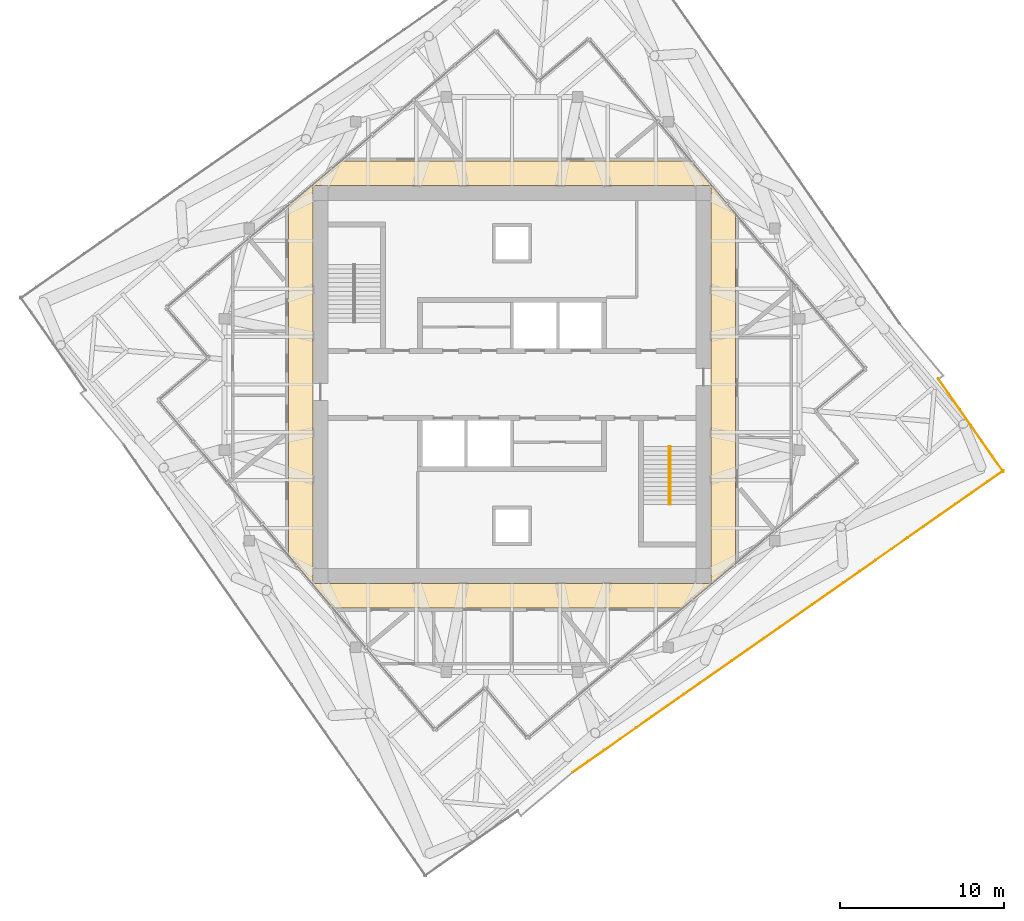
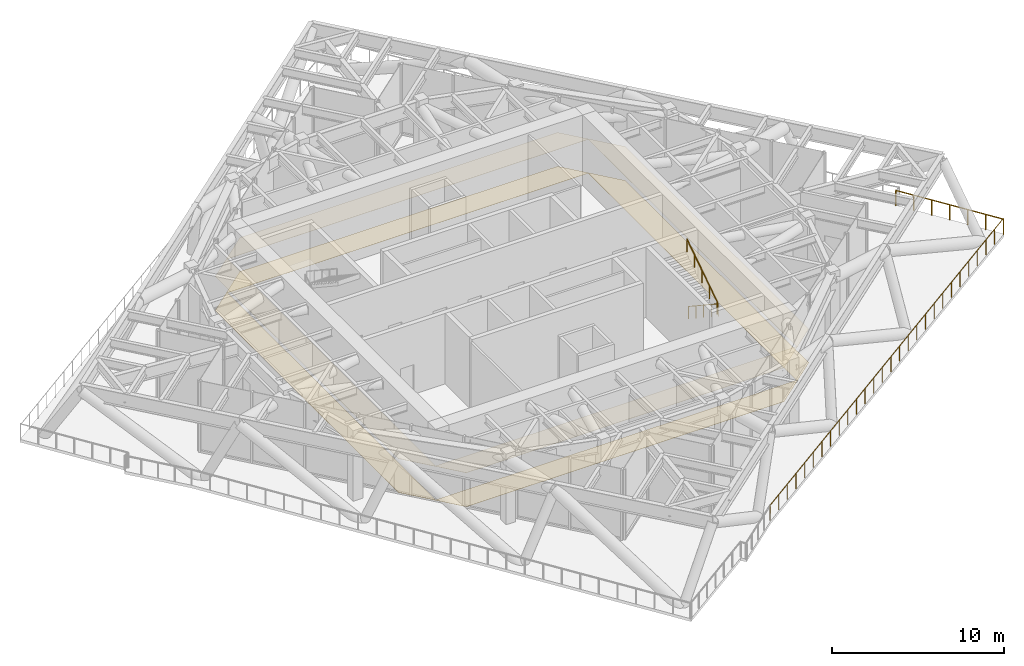
# One storey, part 12 of 15: 4 railings, 2 coverings, 1 element without a shape of its own.
"""IFC4 building model written with IfcOpenShell, lengths in metres."""

from ifc_helpers import new_model, si_unit, direction, frame, origin, origin_2d, place, context, subcontext, project, spatial, polyline, circle, outline, extrude, material, layer, layer_set, type_object, element, aggregate, save


model = new_model("IFC4")

# Units and contexts
model_context = context("Model", 3, precision=1e-05, world=origin(), true_north=direction((0.0, 1.0)))
body_context = subcontext(model_context, "Body", "Model", "MODEL_VIEW")
ifc_project = project(units=[si_unit("LENGTHUNIT", "METRE"), si_unit("AREAUNIT", "SQUARE_METRE"), si_unit("VOLUMEUNIT", "CUBIC_METRE"), si_unit("PLANEANGLEUNIT", "RADIAN"), si_unit("MASSUNIT", "GRAM", prefix="KILO")], contexts=[model_context])

# Site, building, storey
site_placement = place(None, origin())
site = spatial("IfcSite", under=ifc_project, at=site_placement, CompositionType="ELEMENT")
building_placement = place(site_placement, origin())
building = spatial("IfcBuilding", under=site, at=building_placement, Name="Torsade Residences", CompositionType="ELEMENT")
storey_placement = place(building_placement, frame((0.0, 0.0, 267.60009765625)))
storey = spatial("IfcBuildingStorey", under=building, at=storey_placement, Name="L74", CompositionType="ELEMENT", Elevation=267.60009765625)

# Coverings
ifc_material_1 = material(Name="Nylon carpet tile on underlay", Category="textile")
ifc_layer_1 = layer(ifc_material_1, 0.010009765625)
ifc_layer_set_1 = layer_set([ifc_layer_1], Name="Nylon carpet tile on underlay")
covering_type_1 = type_object("IfcCoveringType", Name="CORRIDOR CARPET TILE 10", PredefinedType="FLOORING", material=ifc_layer_set_1)
covering_1_placement = place(storey_placement, origin())
element("IfcCovering", 1, at=covering_1_placement, inside=storey, type_object=covering_type_1, Name="Corridor carpet L74", PredefinedType="FLOORING", context=body_context, shape_type="SweptSolid", body=[
    extrude(outline(polyline([(26.39990234375, 19.60498046875), (29.08935546875, 16.39990234375), (50.39501953125, 16.39990234375), (53.60009765625, 19.08935546875), (53.60009765625, 40.39501953125), (50.91064453125, 43.60009765625), (29.60498046875, 43.60009765625), (26.39990234375, 40.91064453125), (26.39990234375, 19.60498046875)]), holes=[polyline([(27.89990234375, 42.10009765625), (27.89990234375, 17.89990234375), (52.10009765625, 17.89990234375), (52.10009765625, 42.10009765625), (27.89990234375, 42.10009765625)])]), origin(), (0.0, 0.0, 1.0), 0.010009765625),
])
ifc_material_2 = material(Name="Plasterboard on suspended steel grid", Category="steel")
ifc_layer_2 = layer(ifc_material_2, 0.012939453125)
ifc_layer_set_2 = layer_set([ifc_layer_2], Name="Plasterboard on suspended steel grid")
covering_type_2 = type_object("IfcCoveringType", Name="CORRIDOR SUSPENDED CEILING 13", PredefinedType="CEILING", material=ifc_layer_set_2)
covering_2_placement = place(storey_placement, frame((0.0, 0.0, 2.39990234375)))
element("IfcCovering", 2, at=covering_2_placement, inside=storey, type_object=covering_type_2, Name="Corridor ceiling L74", PredefinedType="CEILING", context=body_context, shape_type="SweptSolid", body=[
    extrude(outline(polyline([(26.39990234375, 19.60498046875), (29.08935546875, 16.39990234375), (50.39501953125, 16.39990234375), (53.60009765625, 19.08935546875), (53.60009765625, 40.39501953125), (50.91064453125, 43.60009765625), (29.60498046875, 43.60009765625), (26.39990234375, 40.91064453125), (26.39990234375, 19.60498046875)]), holes=[polyline([(27.89990234375, 42.10009765625), (27.89990234375, 17.89990234375), (52.10009765625, 17.89990234375), (52.10009765625, 42.10009765625), (27.89990234375, 42.10009765625)])]), origin(), (0.0, 0.0, 1.0), 0.012939453125),
])

# Railings
ifc_material_3 = material(Name="Galvanised steel guard rail", Category="steel")
railing_type_1 = type_object("IfcRailingType", Name="ROOF EDGE GUARD 1100", PredefinedType="GUARDRAIL", material=ifc_material_3)
railing_1_placement = place(storey_placement, frame((43.67333984375, 6.386474609375, 0.0)))
element("IfcRailing", 3, at=railing_1_placement, inside=storey, type_object=railing_type_1, Name="Roof edge guard L74 3", PredefinedType="GUARDRAIL", context=body_context, shape_type="SweptSolid", body=[
    extrude(circle(Radius=0.02392578125, at=origin_2d()), frame((0.0, 0.0, 1.076171875), z_axis=(0.819153861324, 0.573573841347, 0.0), x_axis=(-0.573573841347, 0.819153861324, 0.0)), (0.0, 0.0, 1.0), 32.03515625),
    extrude(circle(Radius=0.02099609375, at=origin_2d()), origin(), (0.0, 0.0, 1.0), 1.052001953125),
    extrude(circle(Radius=0.02099609375, at=origin_2d()), frame((0.971923828125, 0.680419921875, 0.0)), (0.0, 0.0, 1.0), 1.052001953125),
    extrude(circle(Radius=0.02099609375, at=origin_2d()), frame((1.94384765625, 1.361083984375, 0.0)), (0.0, 0.0, 1.0), 1.052001953125),
    extrude(circle(Radius=0.02099609375, at=origin_2d()), frame((2.915771484375, 2.04150390625, 0.0)), (0.0, 0.0, 1.0), 1.052001953125),
    extrude(circle(Radius=0.02099609375, at=origin_2d()), frame((3.8876953125, 2.72216796875, 0.0)), (0.0, 0.0, 1.0), 1.052001953125),
    extrude(circle(Radius=0.02099609375, at=origin_2d()), frame((4.859619140625, 3.402587890625, 0.0)), (0.0, 0.0, 1.0), 1.052001953125),
    extrude(circle(Radius=0.02099609375, at=origin_2d()), frame((5.83154296875, 4.083251953125, 0.0)), (0.0, 0.0, 1.0), 1.052001953125),
    extrude(circle(Radius=0.02099609375, at=origin_2d()), frame((6.803466796875, 4.763671875, 0.0)), (0.0, 0.0, 1.0), 1.052001953125),
    extrude(circle(Radius=0.02099609375, at=origin_2d()), frame((7.775390625, 5.4443359375, 0.0)), (0.0, 0.0, 1.0), 1.052001953125),
    extrude(circle(Radius=0.02099609375, at=origin_2d()), frame((8.747314453125, 6.124755859375, 0.0)), (0.0, 0.0, 1.0), 1.052001953125),
    extrude(circle(Radius=0.02099609375, at=origin_2d()), frame((9.71923828125, 6.805419921875, 0.0)), (0.0, 0.0, 1.0), 1.052001953125),
    extrude(circle(Radius=0.02099609375, at=origin_2d()), frame((10.691162109375, 7.48583984375, 0.0)), (0.0, 0.0, 1.0), 1.052001953125),
    extrude(circle(Radius=0.02099609375, at=origin_2d()), frame((11.6630859375, 8.16650390625, 0.0)), (0.0, 0.0, 1.0), 1.052001953125),
    extrude(circle(Radius=0.02099609375, at=origin_2d()), frame((12.635009765625, 8.846923828125, 0.0)), (0.0, 0.0, 1.0), 1.052001953125),
    extrude(circle(Radius=0.02099609375, at=origin_2d()), frame((13.606689453125, 9.527587890625, 0.0)), (0.0, 0.0, 1.0), 1.052001953125),
    extrude(circle(Radius=0.02099609375, at=origin_2d()), frame((14.57861328125, 10.2080078125, 0.0)), (0.0, 0.0, 1.0), 1.052001953125),
    extrude(circle(Radius=0.02099609375, at=origin_2d()), frame((15.550537109375, 10.888671875, 0.0)), (0.0, 0.0, 1.0), 1.052001953125),
    extrude(circle(Radius=0.02099609375, at=origin_2d()), frame((16.5224609375, 11.569091796875, 0.0)), (0.0, 0.0, 1.0), 1.052001953125),
    extrude(circle(Radius=0.02099609375, at=origin_2d()), frame((17.494384765625, 12.249755859375, 0.0)), (0.0, 0.0, 1.0), 1.052001953125),
    extrude(circle(Radius=0.02099609375, at=origin_2d()), frame((18.46630859375, 12.93017578125, 0.0)), (0.0, 0.0, 1.0), 1.052001953125),
    extrude(circle(Radius=0.02099609375, at=origin_2d()), frame((19.438232421875, 13.61083984375, 0.0)), (0.0, 0.0, 1.0), 1.052001953125),
    extrude(circle(Radius=0.02099609375, at=origin_2d()), frame((20.41015625, 14.291259765625, 0.0)), (0.0, 0.0, 1.0), 1.052001953125),
    extrude(circle(Radius=0.02099609375, at=origin_2d()), frame((21.382080078125, 14.971923828125, 0.0)), (0.0, 0.0, 1.0), 1.052001953125),
    extrude(circle(Radius=0.02099609375, at=origin_2d()), frame((22.35400390625, 15.65234375, 0.0)), (0.0, 0.0, 1.0), 1.052001953125),
    extrude(circle(Radius=0.02099609375, at=origin_2d()), frame((23.325927734375, 16.3330078125, 0.0)), (0.0, 0.0, 1.0), 1.052001953125),
    extrude(circle(Radius=0.02099609375, at=origin_2d()), frame((24.2978515625, 17.013427734375, 0.0)), (0.0, 0.0, 1.0), 1.052001953125),
    extrude(circle(Radius=0.02099609375, at=origin_2d()), frame((25.269775390625, 17.694091796875, 0.0)), (0.0, 0.0, 1.0), 1.052001953125),
    extrude(circle(Radius=0.02099609375, at=origin_2d()), frame((26.24169921875, 18.37451171875, 0.0)), (0.0, 0.0, 1.0), 1.052001953125),
])
railing_2_placement = place(storey_placement, frame((69.902587890625, 24.69140625, 0.0)))
element("IfcRailing", 4, at=railing_2_placement, inside=storey, type_object=railing_type_1, Name="Roof edge guard L74 4", PredefinedType="GUARDRAIL", context=body_context, shape_type="SweptSolid", body=[
    extrude(circle(Radius=0.02392578125, at=origin_2d()), frame((0.0, 0.0, 1.076171875), z_axis=(-0.573561936735, 0.819162196838, 0.0), x_axis=(-0.819162196838, -0.573561936735, 0.0)), (0.0, 0.0, 1.0), 6.90966796875),
    extrude(circle(Radius=0.02099609375, at=origin_2d()), origin(), (0.0, 0.0, 1.0), 1.052001953125),
    extrude(circle(Radius=0.02099609375, at=origin_2d()), frame((-0.66064453125, 0.943359375, 0.0)), (0.0, 0.0, 1.0), 1.052001953125),
    extrude(circle(Radius=0.02099609375, at=origin_2d()), frame((-1.321044921875, 1.88671875, 0.0)), (0.0, 0.0, 1.0), 1.052001953125),
    extrude(circle(Radius=0.02099609375, at=origin_2d()), frame((-1.9814453125, 2.830078125, 0.0)), (0.0, 0.0, 1.0), 1.052001953125),
    extrude(circle(Radius=0.02099609375, at=origin_2d()), frame((-2.64208984375, 3.7734375, 0.0)), (0.0, 0.0, 1.0), 1.052001953125),
    extrude(circle(Radius=0.02099609375, at=origin_2d()), frame((-3.302734375, 4.716796875, 0.0)), (0.0, 0.0, 1.0), 1.052001953125),
    extrude(circle(Radius=0.02099609375, at=origin_2d()), frame((-3.963134765625, 5.66015625, 0.0)), (0.0, 0.0, 1.0), 1.052001953125),
])

# Stair, railings
ifc_material_4 = material(Name="Precast concrete 40 MPa", Category="concrete")
stair_type = type_object("IfcStairType", Name="HALF-TURN FIRE STAIR 1500x5000", PredefinedType="HALF_TURN_STAIR", material=ifc_material_4)
stair_placement = place(storey_placement, origin())
stair = element("IfcStair", 5, at=stair_placement, inside=storey, type_object=stair_type, Name="Stair ST2 L74", PredefinedType="HALF_TURN_STAIR")
ifc_material_5 = material(Name="Steel handrail", Category="steel")
railing_type_2 = type_object("IfcRailingType", Name="STAIR HANDRAIL 900", PredefinedType="HANDRAIL", material=ifc_material_5)
railing_3_placement = place(storey_placement, frame((49.64990234375, 26.219970703125, 0.178466796875)))
railing_3 = element("IfcRailing", 6, at=railing_3_placement, type_object=railing_type_2, Name="Handrail ST2 flight 1 L74", PredefinedType="HANDRAIL", context=body_context, shape_type="SweptSolid", body=[
    extrude(circle(Radius=0.02392578125, at=origin_2d()), frame((0.0, 0.0, 0.8759765625), z_axis=(0.0, -0.834070780157, 0.551657442339), x_axis=(1.0, 0.0, 0.0)), (0.0, 0.0, 1.0), 4.208251953125),
    extrude(circle(Radius=0.02099609375, at=origin_2d()), origin(), (0.0, 0.0, 1.0), 0.851806640625),
    extrude(circle(Radius=0.02099609375, at=origin_2d()), frame((0.0, -0.87744140625, 0.580322265625)), (0.0, 0.0, 1.0), 0.851806640625),
    extrude(circle(Radius=0.02099609375, at=origin_2d()), frame((0.0, -1.7548828125, 1.16064453125)), (0.0, 0.0, 1.0), 0.851806640625),
    extrude(circle(Radius=0.02099609375, at=origin_2d()), frame((0.0, -2.632568359375, 1.7412109375)), (0.0, 0.0, 1.0), 0.851806640625),
    extrude(circle(Radius=0.02099609375, at=origin_2d()), frame((0.0, -3.510009765625, 2.321533203125)), (0.0, 0.0, 1.0), 0.851806640625),
])
railing_4_placement = place(storey_placement, frame((49.550048828125, 22.7099609375, 2.678466796875)))
railing_4 = element("IfcRailing", 7, at=railing_4_placement, type_object=railing_type_2, Name="Handrail ST2 flight 2 L74", PredefinedType="HANDRAIL", context=body_context, shape_type="SweptSolid", body=[
    extrude(circle(Radius=0.02392578125, at=origin_2d()), frame((0.0, 0.0, 0.8759765625), z_axis=(0.0, 0.834070780157, 0.551657442339), x_axis=(-1.0, 0.0, 0.0)), (0.0, 0.0, 1.0), 4.208251953125),
    extrude(circle(Radius=0.02099609375, at=origin_2d()), origin(), (0.0, 0.0, 1.0), 0.851806640625),
    extrude(circle(Radius=0.02099609375, at=origin_2d()), frame((0.0, 0.87744140625, 0.580322265625)), (0.0, 0.0, 1.0), 0.851806640625),
    extrude(circle(Radius=0.02099609375, at=origin_2d()), frame((0.0, 1.7548828125, 1.16064453125)), (0.0, 0.0, 1.0), 0.851806640625),
    extrude(circle(Radius=0.02099609375, at=origin_2d()), frame((0.0, 2.632568359375, 1.7412109375)), (0.0, 0.0, 1.0), 0.851806640625),
    extrude(circle(Radius=0.02099609375, at=origin_2d()), frame((0.0, 3.510009765625, 2.321533203125)), (0.0, 0.0, 1.0), 0.851806640625),
])
aggregate(stair, [railing_3, railing_4])

save(model, "model.ifc")
